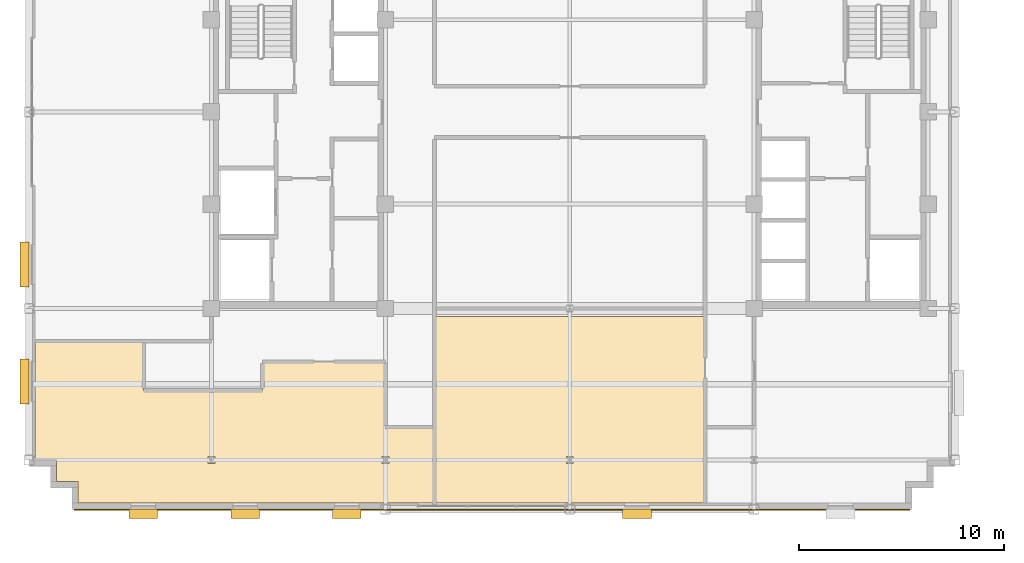
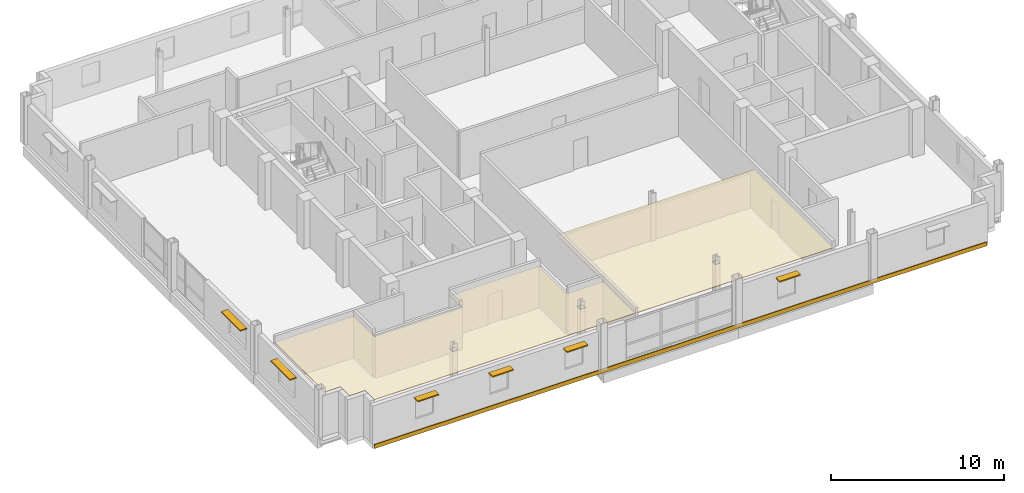
# One storey, part 12 of 16: 6 shading devices, 3 coverings.
"""IFC4 building model written with IfcOpenShell, lengths in metres."""

import ifcopenshell
import ifcopenshell.guid

model = None  # the IFC model being written
_history = None  # IfcOwnerHistory: only IFC2X3 demands one
_inside = {}  # id of a spatial element -> (the spatial element, [elements in it])
_under = {}  # id of a project, library or spatial element -> (it, [spatial elements below it])
_declared = {}  # id of a project -> (the project, [libraries it declares])
_typed = {}  # id of a type object -> (the type object, [elements of that type])
_made_of = {}  # id of a material, layer set ... -> (it, [elements and type objects made of it])


def new_model(schema):
    """Start an empty IFC model of exactly this schema.

    Asked for "IFC4X3", IfcOpenShell would pick the latest addendum, in which some entities
    have other attributes; the version numbers below select the first issue.
    IFC2X3 requires an IfcOwnerHistory on every rooted entity: one is made here for all.
    """
    global model, _history
    if schema == "IFC4X3":
        model = ifcopenshell.file(schema_version=(4, 3, 0, 0))
    else:
        model = ifcopenshell.file(schema=schema)
    _inside.clear()
    _under.clear()
    _declared.clear()
    _typed.clear()
    _made_of.clear()
    _history = None
    if model.schema == "IFC2X3":
        org = make("IfcOrganization", Name="unknown")
        user = make(
            "IfcPersonAndOrganization",
            ThePerson=make("IfcPerson", FamilyName="unknown"),
            TheOrganization=org,
        )
        app = make(
            "IfcApplication",
            ApplicationDeveloper=org,
            Version="unknown",
            ApplicationFullName="unknown",
            ApplicationIdentifier="unknown",
        )
        _history = make(
            "IfcOwnerHistory",
            OwningUser=user,
            OwningApplication=app,
            ChangeAction="ADDED",
            CreationDate=0,
        )
    return model


def make(cls, **values):
    """One entity of the class cls with the attributes given. An attribute that is None is left unset."""
    return model.create_entity(
        cls, **{name: value for name, value in values.items() if value is not None}
    )


def rooted(cls, **values):
    """An entity with a GlobalId (a new one), such as an element, a storey or a relation."""
    return make(cls, GlobalId=ifcopenshell.guid.new(), OwnerHistory=_history, **values)


def si_unit(unit_type, name, prefix=None):
    """IfcSIUnit, for example si_unit("LENGTHUNIT", "METRE", prefix="MILLI")."""
    return make("IfcSIUnit", UnitType=unit_type, Prefix=prefix, Name=name)


def assignment(units):
    """IfcUnitAssignment: the units of a project."""
    return None if units is None else make("IfcUnitAssignment", Units=units)


def point(xyz):
    """IfcCartesianPoint."""
    return None if xyz is None else make("IfcCartesianPoint", Coordinates=xyz)


def direction(xyz):
    """IfcDirection."""
    return None if xyz is None else make("IfcDirection", DirectionRatios=xyz)


def frame(location, z_axis=None, x_axis=None):
    """IfcAxis2Placement3D, a coordinate frame: its origin and axes. An axis left out is left unset."""
    return make(
        "IfcAxis2Placement3D",
        Location=point(location),
        Axis=direction(z_axis),
        RefDirection=direction(x_axis),
    )


def frame_2d(location, x_axis=None):
    """IfcAxis2Placement2D, a coordinate frame in the plane: its origin and x axis."""
    return make(
        "IfcAxis2Placement2D", Location=point(location), RefDirection=direction(x_axis)
    )


def origin():
    """The frame at (0, 0, 0) with its axes left unset."""
    return frame((0.0, 0.0, 0.0))


def origin_2d():
    """The frame at (0, 0) in the plane with its x axis left unset."""
    return frame_2d((0.0, 0.0))


def place(relative_to, where):
    """IfcLocalPlacement: puts the frame where relative to a parent placement (None: the world)."""
    return make(
        "IfcLocalPlacement", PlacementRelTo=relative_to, RelativePlacement=where
    )


def context(
    kind, dimensions, precision=None, world=None, true_north=None, identifier=None
):
    """IfcGeometricRepresentationContext, for example the 3D "Model" context."""
    return make(
        "IfcGeometricRepresentationContext",
        ContextIdentifier=identifier,
        ContextType=kind,
        CoordinateSpaceDimension=dimensions,
        Precision=precision,
        WorldCoordinateSystem=world,
        TrueNorth=true_north,
    )


def subcontext(parent, identifier, kind, view, scale=None):
    """IfcGeometricRepresentationSubContext, for example "Body" below "Model"."""
    return make(
        "IfcGeometricRepresentationSubContext",
        ContextIdentifier=identifier,
        ContextType=kind,
        ParentContext=parent,
        TargetScale=scale,
        TargetView=view,
    )


def project(units=None, contexts=None):
    """IfcProject with its units and contexts."""
    return rooted(
        "IfcProject",
        Name="project",
        RepresentationContexts=contexts,
        UnitsInContext=assignment(units),
    )


def spatial(cls, under=None, at=None, **own):
    """A site, building, storey or space (cls), placed at a placement, below another one or the project."""
    s = rooted(cls, ObjectPlacement=at, **own)
    if under is not None:
        _under.setdefault(under.id(), (under, []))[1].append(s)
    return s


def polyline(points):
    """IfcPolyline through the points."""
    return make("IfcPolyline", Points=[point(p) for p in points])


def profile(cls, at=None, kind="AREA", **sizes):
    """A parametric profile (cls). Its sizes go by their IFC names, for example OverallWidth=200.0."""
    return make(cls, ProfileType=kind, Position=at, **sizes)


def rectangle(**sizes):
    """IfcRectangleProfileDef."""
    return profile("IfcRectangleProfileDef", **sizes)


def outline(outer, holes=None, kind="AREA"):
    """IfcArbitraryClosedProfileDef: a profile drawn as a closed curve; with holes, ...WithVoids."""
    if holes is None:
        return make("IfcArbitraryClosedProfileDef", ProfileType=kind, OuterCurve=outer)
    return make(
        "IfcArbitraryProfileDefWithVoids",
        ProfileType=kind,
        OuterCurve=outer,
        InnerCurves=holes,
    )


def extrude(swept, where, along, depth):
    """IfcExtrudedAreaSolid: the profile swept, set in the frame where, extruded along a direction by depth."""
    return make(
        "IfcExtrudedAreaSolid",
        SweptArea=swept,
        Position=where,
        ExtrudedDirection=direction(along),
        Depth=depth,
    )


def shape(context_of_items, identifier, shape_type, items):
    """IfcShapeRepresentation: the items that make up one representation, for example the "Body"."""
    return make(
        "IfcShapeRepresentation",
        ContextOfItems=context_of_items,
        RepresentationIdentifier=identifier,
        RepresentationType=shape_type,
        Items=items,
    )


def source(mapping_origin, context_of_items, identifier, shape_type, items):
    """IfcRepresentationMap: a shape defined once, which mapped items show again and again."""
    return make(
        "IfcRepresentationMap",
        MappingOrigin=mapping_origin,
        MappedRepresentation=shape(context_of_items, identifier, shape_type, items),
    )


def transform(
    local_origin,
    x_axis=None,
    y_axis=None,
    z_axis=None,
    scale=None,
    scale2=None,
    scale3=None,
    uniform=True,
):
    """IfcCartesianTransformationOperator3D, or its non-uniform kind. x_axis, y_axis, z_axis: its Axis1, 2, 3."""
    if uniform:
        return make(
            "IfcCartesianTransformationOperator3D",
            Axis1=direction(x_axis),
            Axis2=direction(y_axis),
            LocalOrigin=point(local_origin),
            Scale=scale,
            Axis3=direction(z_axis),
        )
    return make(
        "IfcCartesianTransformationOperator3DnonUniform",
        Axis1=direction(x_axis),
        Axis2=direction(y_axis),
        LocalOrigin=point(local_origin),
        Scale=scale,
        Axis3=direction(z_axis),
        Scale2=scale2,
        Scale3=scale3,
    )


def mapped(mapping_source, mapping_target):
    """IfcMappedItem: shows the shape of a source again, moved by a transform."""
    return make(
        "IfcMappedItem", MappingSource=mapping_source, MappingTarget=mapping_target
    )


def material(Name=None, Category=None):
    """IfcMaterial."""
    return make("IfcMaterial", Name=Name, Category=Category)


def layer(
    of_material, thickness, ventilated=None, Name=None, Category=None, Priority=None
):
    """IfcMaterialLayer: one layer of a wall or slab, of a material (None: an air gap)."""
    return make(
        "IfcMaterialLayer",
        Material=of_material,
        LayerThickness=thickness,
        IsVentilated=ventilated,
        Name=Name,
        Category=Category,
        Priority=Priority,
    )


def layer_set(layers, Name=None):
    """IfcMaterialLayerSet."""
    return make("IfcMaterialLayerSet", MaterialLayers=layers, LayerSetName=Name)


def made_of(thing, what):
    """Note that an element or type object is made of a material, layer set ...; save() writes the relation."""
    if what is not None:
        _made_of.setdefault(what.id(), (what, []))[1].append(thing)
    return thing


def type_object(cls, material=None, **own):
    """A type object (cls), such as IfcWallType, which elements share."""
    return made_of(rooted(cls, **own), material)


def type_shapes(of_type, sources):
    """Give a type object the sources (RepresentationMaps) that its elements show as mapped items."""
    of_type.RepresentationMaps = sources


def element(
    cls,
    number,
    at=None,
    inside=None,
    cuts=None,
    type_object=None,
    material=None,
    context=None,
    identifier="Body",
    shape_type=None,
    held_by="IfcProductDefinitionShape",
    body=None,
    shapes=None,
    **own,
):
    """One element of the class cls, such as IfcWall. Its Tag is "e" and its number.

    at: its placement. inside: the storey or other place that contains it. cuts: it is an
    opening in that element (IfcRelVoidsElement). A single representation is given by context,
    identifier, shape_type and body (its items); several are given by shapes. held_by: the class
    of the entity that holds the representations. save() writes the other relations.
    """
    e = rooted(cls, Tag="e%d" % number, ObjectPlacement=at, **own)
    if body is not None:
        shapes = [shape(context, identifier, shape_type, body)]
    if shapes is not None:
        e.Representation = make(held_by, Representations=shapes)
    if inside is not None:
        _inside.setdefault(inside.id(), (inside, []))[1].append(e)
    if cuts is not None:
        rooted(
            "IfcRelVoidsElement", RelatingBuildingElement=cuts, RelatedOpeningElement=e
        )
    if type_object is not None:
        _typed.setdefault(type_object.id(), (type_object, []))[1].append(e)
    return made_of(e, material)


def aggregate(whole, parts):
    """IfcRelAggregates: a whole, such as a stair, and the parts it consists of."""
    return rooted("IfcRelAggregates", RelatingObject=whole, RelatedObjects=parts)


def save(model, path):
    """Write the relations noted so far, then the file.

    IfcRelAggregates (storeys below a building ...), IfcRelContainedInSpatialStructure (elements
    in a storey), IfcRelDefinesByType, IfcRelAssociatesMaterial and IfcRelDeclares: one each for
    every whole, place, type object, material and project.
    """
    for whole, parts in _under.values():
        aggregate(whole, parts)
    for where, things in _inside.values():
        rooted(
            "IfcRelContainedInSpatialStructure",
            RelatedElements=things,
            RelatingStructure=where,
        )
    for kind, things in _typed.values():
        rooted("IfcRelDefinesByType", RelatedObjects=things, RelatingType=kind)
    for what, things in _made_of.values():
        rooted("IfcRelAssociatesMaterial", RelatedObjects=things, RelatingMaterial=what)
    for by, libraries in _declared.values():
        rooted("IfcRelDeclares", RelatingContext=by, RelatedDefinitions=libraries)
    model.write(path)


model = new_model("IFC4")

# Units and contexts
model_context = context("Model", 3, precision=1e-05, world=origin(), true_north=direction((0.0, 1.0)))
body_context = subcontext(model_context, "Body", "Model", "MODEL_VIEW")
ifc_project = project(units=[si_unit("LENGTHUNIT", "METRE"), si_unit("AREAUNIT", "SQUARE_METRE"), si_unit("VOLUMEUNIT", "CUBIC_METRE"), si_unit("PLANEANGLEUNIT", "RADIAN"), si_unit("MASSUNIT", "GRAM", prefix="KILO")], contexts=[model_context])

# Site, building, storey
site_placement = place(None, origin())
site = spatial("IfcSite", under=ifc_project, at=site_placement, CompositionType="ELEMENT")
building_placement = place(site_placement, origin())
building = spatial("IfcBuilding", under=site, at=building_placement, Name="Nuvemarco Arch Tower", CompositionType="ELEMENT")
storey_placement = place(building_placement, frame((0.0, 0.0, 227.39990234375)))
storey = spatial("IfcBuildingStorey", under=building, at=storey_placement, Name="L60", CompositionType="ELEMENT", Elevation=227.39990234375)

# Coverings
ifc_material_1 = material(Name="Mineral acoustic ceiling tile")
ifc_layer_1 = layer(ifc_material_1, 0.0400390625, Name="COV-ACOUSTIC-CLG")
ifc_layer_set_1 = layer_set([ifc_layer_1], Name="Mineral acoustic ceiling tile")
covering_type_1 = type_object("IfcCoveringType", Name="COV-ACOUSTIC-CLG", PredefinedType="CEILING", material=ifc_layer_set_1)
covering_1_placement = place(storey_placement, frame((0.0, 0.0, 2.85009765625)))
element("IfcCovering", 1, at=covering_1_placement, inside=storey, type_object=covering_type_1, Name="L60 suspended acoustic ceiling 2", PredefinedType="CEILING", context=body_context, shape_type="SweptSolid", body=[
    extrude(outline(polyline([(6.60009765625, -15.39990234375), (6.60009765625, -19.10009765625), (-6.60009765625, -19.10009765625), (-6.60009765625, -15.39990234375), (-6.60009765625, -12.199951171875), (-6.60009765625, -10.0), (6.60009765625, -10.0), (6.60009765625, -15.39990234375)]), holes=[polyline([(0.169921875, -17.169921875), (0.169921875, -16.830078125), (-0.169921875, -16.830078125), (-0.169921875, -17.169921875), (0.169921875, -17.169921875)])]), origin(), (0.0, 0.0, 1.0), 0.0400390625),
])
covering_2_placement = place(storey_placement, frame((0.0, 0.0, 2.85009765625)))
element("IfcCovering", 2, at=covering_2_placement, inside=storey, type_object=covering_type_1, Name="L60 suspended acoustic ceiling 3", PredefinedType="CEILING", context=body_context, shape_type="SweptSolid", body=[
    extrude(outline(polyline([(-26.10009765625, -17.0), (-26.10009765625, -11.199951171875), (-20.800048828125, -11.199951171875), (-20.800048828125, -13.60009765625), (-15.0, -13.60009765625), (-15.0, -12.199951171875), (-9.0, -12.199951171875), (-9.0, -15.39990234375), (-6.60009765625, -15.39990234375), (-6.60009765625, -19.10009765625), (-24.0, -19.10009765625), (-24.0, -18.050048828125), (-25.050048828125, -18.050048828125), (-25.050048828125, -17.0), (-26.10009765625, -17.0)]), holes=[polyline([(-17.330078125, -16.830078125), (-17.669921875, -16.830078125), (-17.669921875, -17.169921875), (-17.330078125, -17.169921875), (-17.330078125, -16.830078125)]), polyline([(-8.830078125, -16.830078125), (-9.169921875, -16.830078125), (-9.169921875, -17.169921875), (-8.830078125, -17.169921875), (-8.830078125, -16.830078125)])]), origin(), (0.0, 0.0, 1.0), 0.0400390625),
])

# Shading devices
ifc_material_2 = material(Name="Anodised aluminium 6063-T6", Category="aluminium")
shading_device_type_1 = type_object("IfcShadingDeviceType", Name="SHD-BRISE-SOLEIL", PredefinedType="USERDEFINED", material=ifc_material_2)
shared_shape_1 = source(origin(), body_context, "Body", "SweptSolid", [
    extrude(rectangle(XDim=2.199951171875, YDim=0.449951171875, at=origin_2d()), origin(), (0.0, 0.0, 1.0), 0.080078125),
])
type_shapes(shading_device_type_1, [shared_shape_1])
for number, where, z_axis, x_axis, name in (
    (3, (-26.614990234375, -13.153076171875, 2.28515625), (0.0, 0.0, 1.0), (0.0, 1.0, 0.0), "L60 horizontal brise-soleil sunshade"),
    (4, (-26.614990234375, -7.450927734375, 2.28515625), (0.0, 0.0, 1.0), (0.0, 1.0, 0.0), "L60 horizontal brise-soleil sunshade"),
):
    element("IfcShadingDevice", number, at=place(storey_placement, frame(where, z_axis=z_axis, x_axis=x_axis)), inside=storey, type_object=shading_device_type_1, Name=name, ObjectType="SUNSHADE", PredefinedType="USERDEFINED", context=body_context, shape_type="MappedRepresentation", body=[
        mapped(shared_shape_1, transform((0.0, 0.0, 0.0), scale=1.0)),
    ])
shading_device_type_2 = type_object("IfcShadingDeviceType", Name="SHD-BRISE-NARROW", PredefinedType="USERDEFINED", material=ifc_material_2)
shared_shape_2 = source(origin(), body_context, "Body", "SweptSolid", [
    extrude(rectangle(XDim=1.39990234375, YDim=0.449951171875, at=origin_2d()), origin(), (0.0, 0.0, 1.0), 0.080078125),
])
type_shapes(shading_device_type_2, [shared_shape_2])
for number, where, z_axis, x_axis, name in (
    (5, (-20.816650390625, -19.614990234375, 2.28515625), (0.0, 0.0, 1.0), (1.0, 0.0, 0.0), "L60 horizontal brise-soleil sunshade"),
    (6, (-15.85009765625, -19.614990234375, 2.28515625), (0.0, 0.0, 1.0), (1.0, 0.0, 0.0), "L60 horizontal brise-soleil sunshade"),
    (7, (-10.88330078125, -19.614990234375, 2.28515625), (0.0, 0.0, 1.0), (1.0, 0.0, 0.0), "L60 horizontal brise-soleil sunshade"),
    (8, (3.283203125, -19.614990234375, 2.28515625), (0.0, 0.0, 1.0), (1.0, 0.0, 0.0), "L60 horizontal brise-soleil sunshade"),
):
    element("IfcShadingDevice", number, at=place(storey_placement, frame(where, z_axis=z_axis, x_axis=x_axis)), inside=storey, type_object=shading_device_type_2, Name=name, ObjectType="SUNSHADE", PredefinedType="USERDEFINED", context=body_context, shape_type="MappedRepresentation", body=[
        mapped(shared_shape_2, transform((0.0, 0.0, 0.0), scale=1.0)),
    ])

# Covering
ifc_material_3 = material(Name="Precast concrete C45/55", Category="concrete")
ifc_layer_2 = layer(ifc_material_3, 0.06005859375, Name="COV-SPANDREL-CLAD")
ifc_layer_set_2 = layer_set([ifc_layer_2], Name="Precast concrete C45/55")
covering_type_2 = type_object("IfcCoveringType", Name="COV-SPANDREL-CLAD", PredefinedType="CLADDING", material=ifc_layer_set_2)
shared_shape_3 = source(origin(), body_context, "Body", "SweptSolid", [
    extrude(rectangle(XDim=40.800048828125, YDim=0.06005859375, at=origin_2d()), origin(), (0.0, 0.0, 1.0), 0.280029296875),
])
type_shapes(covering_type_2, [shared_shape_3])
covering_3_placement = place(storey_placement, frame((-3.800048828125, -19.428955078125, -0.27978515625), z_axis=(0.0, 0.0, 1.0), x_axis=(1.0, 0.0, 0.0)))
element("IfcCovering", 9, at=covering_3_placement, inside=storey, type_object=covering_type_2, Name="L60 precast spandrel edge cladding south", PredefinedType="CLADDING", context=body_context, shape_type="MappedRepresentation", body=[
    mapped(shared_shape_3, transform((0.0, 0.0, 0.0), scale=1.0)),
])

save(model, "model.ifc")
